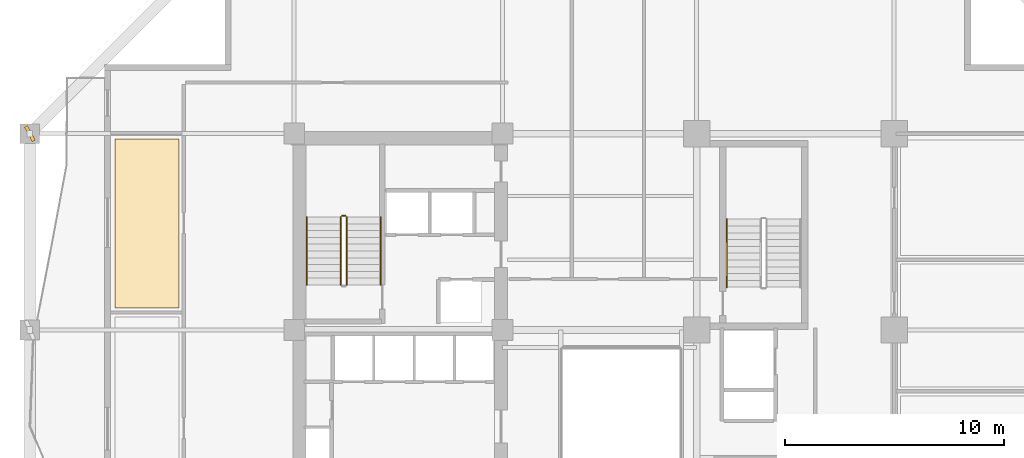
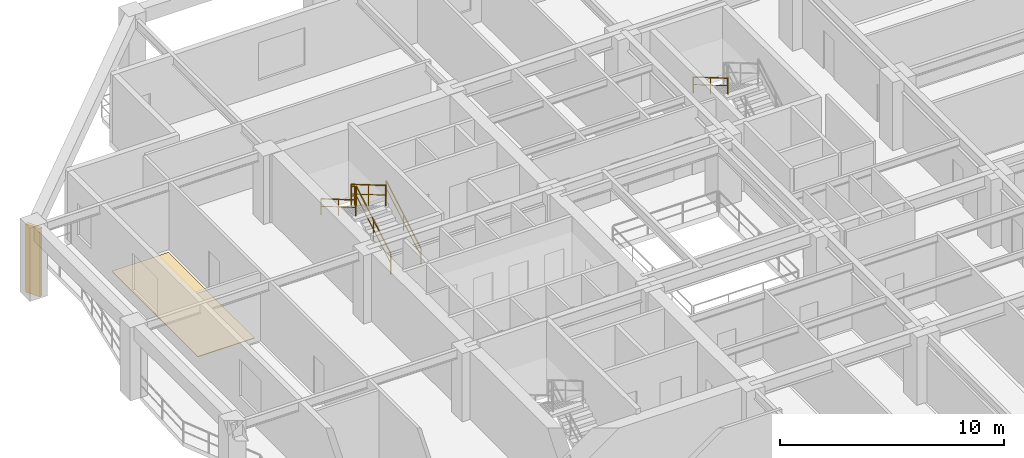
# One storey, part 11 of 13: 6 railings, 1 covering, 1 shading device.
"""IFC4 building model written with IfcOpenShell, lengths in metres."""

from ifc_helpers import new_model, si_unit, direction, frame, origin, origin_2d, place, context, subcontext, project, spatial, polyline, rectangle, outline, extrude, material, layer, layer_set, type_object, element, save


model = new_model("IFC4")

# Units and contexts
model_context = context("Model", 3, precision=1e-05, world=origin(), true_north=direction((0.0, 1.0)))
body_context = subcontext(model_context, "Body", "Model", "MODEL_VIEW")
ifc_project = project(units=[si_unit("LENGTHUNIT", "METRE"), si_unit("AREAUNIT", "SQUARE_METRE"), si_unit("VOLUMEUNIT", "CUBIC_METRE"), si_unit("PLANEANGLEUNIT", "RADIAN"), si_unit("MASSUNIT", "GRAM", prefix="KILO")], contexts=[model_context])

# Site, building, storey
site_placement = place(None, origin())
site = spatial("IfcSite", under=ifc_project, at=site_placement, CompositionType="ELEMENT")
building_placement = place(site_placement, origin())
building = spatial("IfcBuilding", under=site, at=building_placement, Name="Kundavana Baori Tower", CompositionType="ELEMENT")
storey_placement = place(building_placement, frame((0.0, 0.0, 54.0)))
storey = spatial("IfcBuildingStorey", under=building, at=storey_placement, Name="L12", CompositionType="ELEMENT", Elevation=54.0)

# Covering
ifc_material_1 = material(Name="Honed Kota Stone and Terrazzo Flooring", Category="masonry")
ifc_layer = layer(ifc_material_1, 0.030029296875, Name="COV-INT-FLR")
ifc_layer_set = layer_set([ifc_layer], Name="Honed Kota Stone and Terrazzo Flooring")
covering_type = type_object("IfcCoveringType", Name="COV-INT-FLR", PredefinedType="FLOORING", material=ifc_layer_set)
covering_placement = place(storey_placement, origin())
element("IfcCovering", 1, at=covering_placement, inside=storey, type_object=covering_type, Name="L12 Room Finished Stone Flooring 3", PredefinedType="FLOORING", context=body_context, shape_type="SweptSolid", body=[
    extrude(outline(polyline([(7.280029296875, 34.0), (10.199951171875, 34.0), (10.199951171875, 41.699951171875), (7.280029296875, 41.699951171875), (7.280029296875, 34.0)])), origin(), (0.0, 0.0, 1.0), 0.030029296875),
])

# Railings
ifc_material_2 = material(Name="Architectural Patinated Bronze Metalwork")
railing_type_1 = type_object("IfcRailingType", Name="RL-GRD-1150", PredefinedType="GUARDRAIL", material=ifc_material_2)
railing_1_placement = place(storey_placement, frame((17.840087890625, 35.050048828125, 0.181884765625)))
element("IfcRailing", 2, at=railing_1_placement, inside=storey, type_object=railing_type_1, Name="L12 ST2 stair guard 1", PredefinedType="GUARDRAIL", context=body_context, shape_type="SweptSolid", body=[
    extrude(rectangle(XDim=0.048095703125, YDim=0.048095703125, at=origin_2d()), frame((0.0, 0.0, 1.1259765625), z_axis=(0.0, 0.86258143422, 0.50591824373), x_axis=(-1.0, 0.0, 0.0)), (0.0, 0.0, 1.0), 3.59375),
    extrude(rectangle(XDim=0.03125, YDim=0.03125, at=origin_2d()), frame((0.0, 0.0, 0.597900390625), z_axis=(0.0, 0.86258143422, 0.50591824373), x_axis=(-1.0, 0.0, 0.0)), (0.0, 0.0, 1.0), 3.59375),
    extrude(rectangle(XDim=0.0419921875, YDim=0.0419921875, at=origin_2d()), origin(), (0.0, 0.0, 1.0), 1.101806640625),
    extrude(rectangle(XDim=0.0419921875, YDim=0.0419921875, at=origin_2d()), frame((0.0, 1.5498046875, 0.9091796875)), (0.0, 0.0, 1.0), 1.101806640625),
    extrude(rectangle(XDim=0.0419921875, YDim=0.0419921875, at=origin_2d()), frame((0.0, 3.099853515625, 1.818115234375)), (0.0, 0.0, 1.0), 1.101806640625),
])
railing_2_placement = place(storey_placement, frame((17.7900390625, 38.199951171875, 2.0)))
element("IfcRailing", 3, at=railing_2_placement, inside=storey, type_object=railing_type_1, Name="L12 ST2 stair guard 2", PredefinedType="GUARDRAIL", context=body_context, shape_type="SweptSolid", body=[
    extrude(rectangle(XDim=0.048095703125, YDim=0.048095703125, at=origin_2d()), frame((0.0, 0.0, 1.1259765625), z_axis=(-1.0, 0.0, 0.0), x_axis=(0.0, -1.0, 0.0)), (0.0, 0.0, 1.0), 0.16015625),
    extrude(rectangle(XDim=0.03125, YDim=0.03125, at=origin_2d()), frame((0.0, 0.0, 0.597900390625), z_axis=(-1.0, 0.0, 0.0), x_axis=(0.0, -1.0, 0.0)), (0.0, 0.0, 1.0), 0.16015625),
    extrude(rectangle(XDim=0.0419921875, YDim=0.0419921875, at=origin_2d()), origin(), (0.0, 0.0, 1.0), 1.101806640625),
    extrude(rectangle(XDim=0.0419921875, YDim=0.0419921875, at=origin_2d()), frame((-0.16015625, 0.0, 0.0)), (0.0, 0.0, 1.0), 1.101806640625),
])
railing_3_placement = place(storey_placement, frame((17.580078125, 38.14990234375, 2.181884765625)))
element("IfcRailing", 4, at=railing_3_placement, inside=storey, type_object=railing_type_1, Name="L12 ST2 stair guard 3", PredefinedType="GUARDRAIL", context=body_context, shape_type="SweptSolid", body=[
    extrude(rectangle(XDim=0.048095703125, YDim=0.048095703125, at=origin_2d()), frame((0.0, 0.0, 1.1259765625), z_axis=(0.0, -0.86258143422, 0.50591824373), x_axis=(1.0, 0.0, 0.0)), (0.0, 0.0, 1.0), 3.59375),
    extrude(rectangle(XDim=0.03125, YDim=0.03125, at=origin_2d()), frame((0.0, 0.0, 0.597900390625), z_axis=(0.0, -0.86258143422, 0.50591824373), x_axis=(1.0, 0.0, 0.0)), (0.0, 0.0, 1.0), 3.59375),
    extrude(rectangle(XDim=0.0419921875, YDim=0.0419921875, at=origin_2d()), origin(), (0.0, 0.0, 1.0), 1.101806640625),
    extrude(rectangle(XDim=0.0419921875, YDim=0.0419921875, at=origin_2d()), frame((0.0, -1.5498046875, 0.9091796875)), (0.0, 0.0, 1.0), 1.101806640625),
    extrude(rectangle(XDim=0.0419921875, YDim=0.0419921875, at=origin_2d()), frame((0.0, -3.099853515625, 1.818115234375)), (0.0, 0.0, 1.0), 1.101806640625),
])
ifc_material_3 = material(Name="Architectural Patinated Bronze Metalwork")
railing_type_2 = type_object("IfcRailingType", Name="RL-HND-920", PredefinedType="HANDRAIL", material=ifc_material_3)
railing_4_placement = place(storey_placement, frame((19.389892578125, 35.050048828125, 0.181884765625)))
element("IfcRailing", 5, at=railing_4_placement, inside=storey, type_object=railing_type_2, Name="L12 ST2 stair handrail 1", PredefinedType="HANDRAIL", context=body_context, shape_type="SweptSolid", body=[
    extrude(rectangle(XDim=0.048095703125, YDim=0.048095703125, at=origin_2d()), frame((0.0, 0.0, 0.8759765625), z_axis=(0.0, 0.86258143422, 0.50591824373), x_axis=(-1.0, 0.0, 0.0)), (0.0, 0.0, 1.0), 3.59375),
    extrude(rectangle(XDim=0.03125, YDim=0.03125, at=origin_2d()), frame((0.0, 0.0, 0.468017578125), z_axis=(0.0, 0.86258143422, 0.50591824373), x_axis=(-1.0, 0.0, 0.0)), (0.0, 0.0, 1.0), 3.59375),
    extrude(rectangle(XDim=0.0419921875, YDim=0.0419921875, at=origin_2d()), origin(), (0.0, 0.0, 1.0), 0.851806640625),
    extrude(rectangle(XDim=0.0419921875, YDim=0.0419921875, at=origin_2d()), frame((0.0, 1.5498046875, 0.9091796875)), (0.0, 0.0, 1.0), 0.851806640625),
    extrude(rectangle(XDim=0.0419921875, YDim=0.0419921875, at=origin_2d()), frame((0.0, 3.099853515625, 1.818115234375)), (0.0, 0.0, 1.0), 0.851806640625),
])
railing_5_placement = place(storey_placement, frame((16.030029296875, 38.14990234375, 2.181884765625)))
element("IfcRailing", 6, at=railing_5_placement, inside=storey, type_object=railing_type_2, Name="L12 ST2 stair handrail 2", PredefinedType="HANDRAIL", context=body_context, shape_type="SweptSolid", body=[
    extrude(rectangle(XDim=0.048095703125, YDim=0.048095703125, at=origin_2d()), frame((0.0, 0.0, 0.8759765625), z_axis=(0.0, -0.86258143422, 0.50591824373), x_axis=(1.0, 0.0, 0.0)), (0.0, 0.0, 1.0), 3.59375),
    extrude(rectangle(XDim=0.03125, YDim=0.03125, at=origin_2d()), frame((0.0, 0.0, 0.468017578125), z_axis=(0.0, -0.86258143422, 0.50591824373), x_axis=(1.0, 0.0, 0.0)), (0.0, 0.0, 1.0), 3.59375),
    extrude(rectangle(XDim=0.0419921875, YDim=0.0419921875, at=origin_2d()), origin(), (0.0, 0.0, 1.0), 0.851806640625),
    extrude(rectangle(XDim=0.0419921875, YDim=0.0419921875, at=origin_2d()), frame((0.0, -1.5498046875, 0.9091796875)), (0.0, 0.0, 1.0), 0.851806640625),
    extrude(rectangle(XDim=0.0419921875, YDim=0.0419921875, at=origin_2d()), frame((0.0, -3.099853515625, 1.818115234375)), (0.0, 0.0, 1.0), 0.851806640625),
])
railing_6_placement = place(storey_placement, frame((35.169921875, 38.050048828125, 2.181884765625)))
element("IfcRailing", 7, at=railing_6_placement, inside=storey, type_object=railing_type_2, Name="L12 ST3 stair handrail 2", PredefinedType="HANDRAIL", context=body_context, shape_type="SweptSolid", body=[
    extrude(rectangle(XDim=0.048095703125, YDim=0.048095703125, at=origin_2d()), frame((0.0, 0.0, 0.8759765625), z_axis=(0.0, -0.862598821094, 0.505888598258), x_axis=(1.0, 0.0, 0.0)), (0.0, 0.0, 1.0), 3.593994140625),
    extrude(rectangle(XDim=0.03125, YDim=0.03125, at=origin_2d()), frame((0.0, 0.0, 0.468017578125), z_axis=(0.0, -0.862598821094, 0.505888598258), x_axis=(1.0, 0.0, 0.0)), (0.0, 0.0, 1.0), 3.593994140625),
    extrude(rectangle(XDim=0.0419921875, YDim=0.0419921875, at=origin_2d()), origin(), (0.0, 0.0, 1.0), 0.851806640625),
    extrude(rectangle(XDim=0.0419921875, YDim=0.0419921875, at=origin_2d()), frame((0.0, -1.550048828125, 0.9091796875)), (0.0, 0.0, 1.0), 0.851806640625),
    extrude(rectangle(XDim=0.0419921875, YDim=0.0419921875, at=origin_2d()), frame((0.0, -3.10009765625, 1.818115234375)), (0.0, 0.0, 1.0), 0.851806640625),
])

# Shading device
ifc_material_4 = material(Name="Red-Buff Dholpur Sandstone Cladding on Concrete C40/50", Category="masonry")
shading_device_type = type_object("IfcShadingDeviceType", Name="SHD-FIN-750", PredefinedType="JALOUSIE", material=ifc_material_4)
shading_device_placement = place(storey_placement, frame((3.39990234375, 41.949951171875, 0.0), z_axis=(0.0, 0.0, 1.0), x_axis=(0.87948249511, 0.475931235364, 0.0)))
element("IfcShadingDevice", 8, at=shading_device_placement, inside=storey, type_object=shading_device_type, Name="L12 Sweeping Dholpur Sandstone Facade Fin 8", PredefinedType="JALOUSIE", context=body_context, shape_type="SweptSolid", body=[
    extrude(rectangle(XDim=0.159912109375, YDim=0.75, at=origin_2d()), origin(), (0.0, 0.0, 1.0), 3.719970703125),
])

save(model, "model.ifc")
